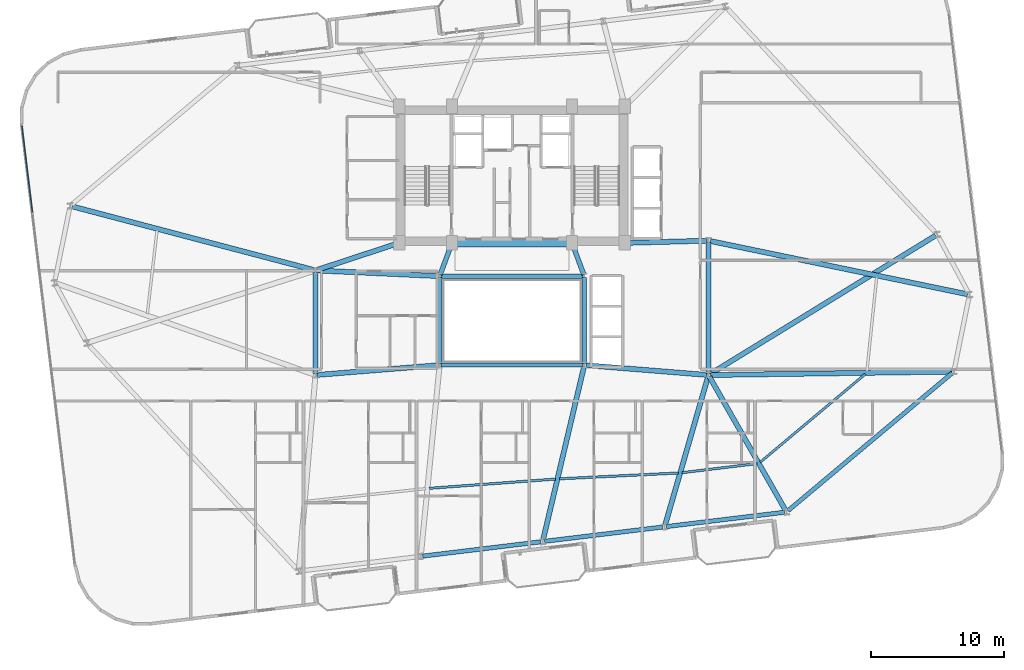
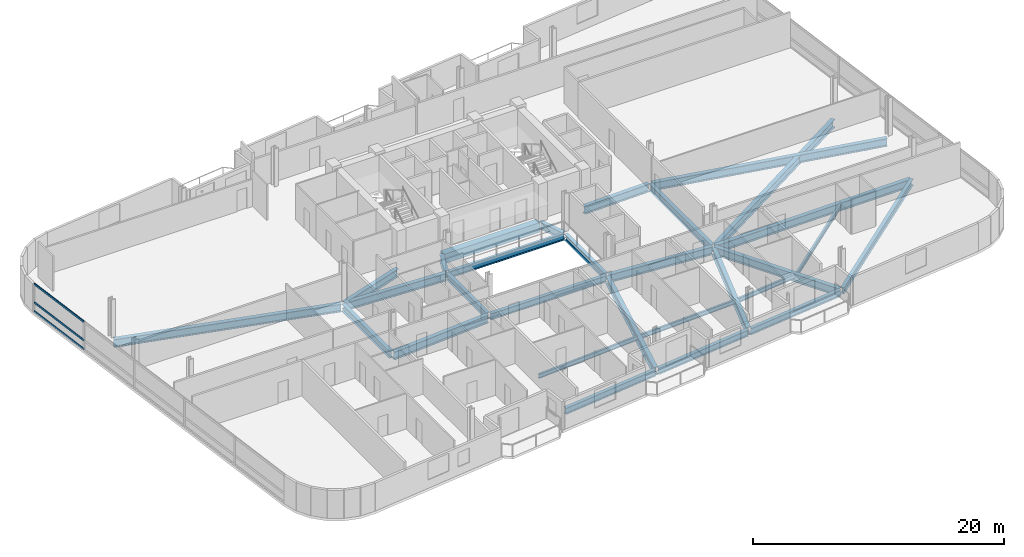
# One storey, part 7 of 23: 29 beams, 3 members, 1 element without a shape of its own.
"""IFC4 building model written with IfcOpenShell, lengths in metres."""

import ifcopenshell
import ifcopenshell.guid

model = None  # the IFC model being written
_history = None  # IfcOwnerHistory: only IFC2X3 demands one
_inside = {}  # id of a spatial element -> (the spatial element, [elements in it])
_under = {}  # id of a project, library or spatial element -> (it, [spatial elements below it])
_declared = {}  # id of a project -> (the project, [libraries it declares])
_typed = {}  # id of a type object -> (the type object, [elements of that type])
_made_of = {}  # id of a material, layer set ... -> (it, [elements and type objects made of it])


def new_model(schema):
    """Start an empty IFC model of exactly this schema.

    Asked for "IFC4X3", IfcOpenShell would pick the latest addendum, in which some entities
    have other attributes; the version numbers below select the first issue.
    IFC2X3 requires an IfcOwnerHistory on every rooted entity: one is made here for all.
    """
    global model, _history
    if schema == "IFC4X3":
        model = ifcopenshell.file(schema_version=(4, 3, 0, 0))
    else:
        model = ifcopenshell.file(schema=schema)
    _inside.clear()
    _under.clear()
    _declared.clear()
    _typed.clear()
    _made_of.clear()
    _history = None
    if model.schema == "IFC2X3":
        org = make("IfcOrganization", Name="unknown")
        user = make(
            "IfcPersonAndOrganization",
            ThePerson=make("IfcPerson", FamilyName="unknown"),
            TheOrganization=org,
        )
        app = make(
            "IfcApplication",
            ApplicationDeveloper=org,
            Version="unknown",
            ApplicationFullName="unknown",
            ApplicationIdentifier="unknown",
        )
        _history = make(
            "IfcOwnerHistory",
            OwningUser=user,
            OwningApplication=app,
            ChangeAction="ADDED",
            CreationDate=0,
        )
    return model


def make(cls, **values):
    """One entity of the class cls with the attributes given. An attribute that is None is left unset."""
    return model.create_entity(
        cls, **{name: value for name, value in values.items() if value is not None}
    )


def rooted(cls, **values):
    """An entity with a GlobalId (a new one), such as an element, a storey or a relation."""
    return make(cls, GlobalId=ifcopenshell.guid.new(), OwnerHistory=_history, **values)


def si_unit(unit_type, name, prefix=None):
    """IfcSIUnit, for example si_unit("LENGTHUNIT", "METRE", prefix="MILLI")."""
    return make("IfcSIUnit", UnitType=unit_type, Prefix=prefix, Name=name)


def assignment(units):
    """IfcUnitAssignment: the units of a project."""
    return None if units is None else make("IfcUnitAssignment", Units=units)


def point(xyz):
    """IfcCartesianPoint."""
    return None if xyz is None else make("IfcCartesianPoint", Coordinates=xyz)


def direction(xyz):
    """IfcDirection."""
    return None if xyz is None else make("IfcDirection", DirectionRatios=xyz)


def frame(location, z_axis=None, x_axis=None):
    """IfcAxis2Placement3D, a coordinate frame: its origin and axes. An axis left out is left unset."""
    return make(
        "IfcAxis2Placement3D",
        Location=point(location),
        Axis=direction(z_axis),
        RefDirection=direction(x_axis),
    )


def frame_2d(location, x_axis=None):
    """IfcAxis2Placement2D, a coordinate frame in the plane: its origin and x axis."""
    return make(
        "IfcAxis2Placement2D", Location=point(location), RefDirection=direction(x_axis)
    )


def origin():
    """The frame at (0, 0, 0) with its axes left unset."""
    return frame((0.0, 0.0, 0.0))


def origin_2d():
    """The frame at (0, 0) in the plane with its x axis left unset."""
    return frame_2d((0.0, 0.0))


def place(relative_to, where):
    """IfcLocalPlacement: puts the frame where relative to a parent placement (None: the world)."""
    return make(
        "IfcLocalPlacement", PlacementRelTo=relative_to, RelativePlacement=where
    )


def context(
    kind, dimensions, precision=None, world=None, true_north=None, identifier=None
):
    """IfcGeometricRepresentationContext, for example the 3D "Model" context."""
    return make(
        "IfcGeometricRepresentationContext",
        ContextIdentifier=identifier,
        ContextType=kind,
        CoordinateSpaceDimension=dimensions,
        Precision=precision,
        WorldCoordinateSystem=world,
        TrueNorth=true_north,
    )


def subcontext(parent, identifier, kind, view, scale=None):
    """IfcGeometricRepresentationSubContext, for example "Body" below "Model"."""
    return make(
        "IfcGeometricRepresentationSubContext",
        ContextIdentifier=identifier,
        ContextType=kind,
        ParentContext=parent,
        TargetScale=scale,
        TargetView=view,
    )


def project(units=None, contexts=None):
    """IfcProject with its units and contexts."""
    return rooted(
        "IfcProject",
        Name="project",
        RepresentationContexts=contexts,
        UnitsInContext=assignment(units),
    )


def spatial(cls, under=None, at=None, **own):
    """A site, building, storey or space (cls), placed at a placement, below another one or the project."""
    s = rooted(cls, ObjectPlacement=at, **own)
    if under is not None:
        _under.setdefault(under.id(), (under, []))[1].append(s)
    return s


def profile(cls, at=None, kind="AREA", **sizes):
    """A parametric profile (cls). Its sizes go by their IFC names, for example OverallWidth=200.0."""
    return make(cls, ProfileType=kind, Position=at, **sizes)


def rectangle(**sizes):
    """IfcRectangleProfileDef."""
    return profile("IfcRectangleProfileDef", **sizes)


def hollow_rectangle(**sizes):
    """IfcRectangleHollowProfileDef."""
    return profile("IfcRectangleHollowProfileDef", **sizes)


def i_section(**sizes):
    """IfcIShapeProfileDef."""
    return profile("IfcIShapeProfileDef", **sizes)


def extrude(swept, where, along, depth):
    """IfcExtrudedAreaSolid: the profile swept, set in the frame where, extruded along a direction by depth."""
    return make(
        "IfcExtrudedAreaSolid",
        SweptArea=swept,
        Position=where,
        ExtrudedDirection=direction(along),
        Depth=depth,
    )


def shape(context_of_items, identifier, shape_type, items):
    """IfcShapeRepresentation: the items that make up one representation, for example the "Body"."""
    return make(
        "IfcShapeRepresentation",
        ContextOfItems=context_of_items,
        RepresentationIdentifier=identifier,
        RepresentationType=shape_type,
        Items=items,
    )


def material(Name=None, Category=None):
    """IfcMaterial."""
    return make("IfcMaterial", Name=Name, Category=Category)


def layer(
    of_material, thickness, ventilated=None, Name=None, Category=None, Priority=None
):
    """IfcMaterialLayer: one layer of a wall or slab, of a material (None: an air gap)."""
    return make(
        "IfcMaterialLayer",
        Material=of_material,
        LayerThickness=thickness,
        IsVentilated=ventilated,
        Name=Name,
        Category=Category,
        Priority=Priority,
    )


def layer_set(layers, Name=None):
    """IfcMaterialLayerSet."""
    return make("IfcMaterialLayerSet", MaterialLayers=layers, LayerSetName=Name)


def material_profile(
    of_material, cross_section, Name=None, Category=None, Priority=None
):
    """IfcMaterialProfile: a cross section and its material."""
    return make(
        "IfcMaterialProfile",
        Name=Name,
        Material=of_material,
        Profile=cross_section,
        Priority=Priority,
        Category=Category,
    )


def profile_set(profiles, Name=None, composite=None):
    """IfcMaterialProfileSet."""
    return make(
        "IfcMaterialProfileSet",
        Name=Name,
        MaterialProfiles=profiles,
        CompositeProfile=composite,
    )


def made_of(thing, what):
    """Note that an element or type object is made of a material, layer set ...; save() writes the relation."""
    if what is not None:
        _made_of.setdefault(what.id(), (what, []))[1].append(thing)
    return thing


def type_object(cls, material=None, **own):
    """A type object (cls), such as IfcWallType, which elements share."""
    return made_of(rooted(cls, **own), material)


def element(
    cls,
    number,
    at=None,
    inside=None,
    cuts=None,
    type_object=None,
    material=None,
    context=None,
    identifier="Body",
    shape_type=None,
    held_by="IfcProductDefinitionShape",
    body=None,
    shapes=None,
    **own,
):
    """One element of the class cls, such as IfcWall. Its Tag is "e" and its number.

    at: its placement. inside: the storey or other place that contains it. cuts: it is an
    opening in that element (IfcRelVoidsElement). A single representation is given by context,
    identifier, shape_type and body (its items); several are given by shapes. held_by: the class
    of the entity that holds the representations. save() writes the other relations.
    """
    e = rooted(cls, Tag="e%d" % number, ObjectPlacement=at, **own)
    if body is not None:
        shapes = [shape(context, identifier, shape_type, body)]
    if shapes is not None:
        e.Representation = make(held_by, Representations=shapes)
    if inside is not None:
        _inside.setdefault(inside.id(), (inside, []))[1].append(e)
    if cuts is not None:
        rooted(
            "IfcRelVoidsElement", RelatingBuildingElement=cuts, RelatedOpeningElement=e
        )
    if type_object is not None:
        _typed.setdefault(type_object.id(), (type_object, []))[1].append(e)
    return made_of(e, material)


def aggregate(whole, parts):
    """IfcRelAggregates: a whole, such as a stair, and the parts it consists of."""
    return rooted("IfcRelAggregates", RelatingObject=whole, RelatedObjects=parts)


def save(model, path):
    """Write the relations noted so far, then the file.

    IfcRelAggregates (storeys below a building ...), IfcRelContainedInSpatialStructure (elements
    in a storey), IfcRelDefinesByType, IfcRelAssociatesMaterial and IfcRelDeclares: one each for
    every whole, place, type object, material and project.
    """
    for whole, parts in _under.values():
        aggregate(whole, parts)
    for where, things in _inside.values():
        rooted(
            "IfcRelContainedInSpatialStructure",
            RelatedElements=things,
            RelatingStructure=where,
        )
    for kind, things in _typed.values():
        rooted("IfcRelDefinesByType", RelatedObjects=things, RelatingType=kind)
    for what, things in _made_of.values():
        rooted("IfcRelAssociatesMaterial", RelatedObjects=things, RelatingMaterial=what)
    for by, libraries in _declared.values():
        rooted("IfcRelDeclares", RelatingContext=by, RelatedDefinitions=libraries)
    model.write(path)


model = new_model("IFC4")

# Units and contexts
model_context = context("Model", 3, precision=1e-05, world=origin(), true_north=direction((0.0, 1.0)))
body_context = subcontext(model_context, "Body", "Model", "MODEL_VIEW")
ifc_project = project(units=[si_unit("LENGTHUNIT", "METRE"), si_unit("AREAUNIT", "SQUARE_METRE"), si_unit("VOLUMEUNIT", "CUBIC_METRE"), si_unit("PLANEANGLEUNIT", "RADIAN"), si_unit("MASSUNIT", "GRAM", prefix="KILO")], contexts=[model_context])

# Site, building, storey
site_placement = place(None, origin())
site = spatial("IfcSite", under=ifc_project, at=site_placement, CompositionType="ELEMENT")
building_placement = place(site_placement, origin())
building = spatial("IfcBuilding", under=site, at=building_placement, Name="Varnelok Gate Tower", CompositionType="ELEMENT")
storey_placement = place(building_placement, frame((0.0, 0.0, 193.10009765625)))
storey = spatial("IfcBuildingStorey", under=building, at=storey_placement, Name="L49", CompositionType="ELEMENT", Elevation=193.10009765625)

# Beams
ifc_material_1 = material(Name="Structural Steel ASTM A992 Grade 50", Category="steel")
ifc_material_profile_1 = material_profile(ifc_material_1, i_section(OverallWidth=0.180908203125, OverallDepth=0.4169921875, WebThickness=0.010986328125, FlangeThickness=0.018310546875, FilletRadius=0.013916015625, at=origin_2d()), Name="W16X57")
ifc_profile_set_1 = profile_set([ifc_material_profile_1], Name="Structural Steel ASTM A992 Grade 50")
beam_type_1 = type_object("IfcBeamType", Name="BM-JST-W16X57", PredefinedType="JOIST", material=ifc_profile_set_1)
beam_1_placement = place(storey_placement, frame((32.970703125, 10.269775390625, -0.45849609375), z_axis=(0.997322853736, 0.073124041296, 0.0), x_axis=(-0.073124041296, 0.997322853736, 0.0)))
element("IfcBeam", 1, at=beam_1_placement, inside=storey, type_object=beam_type_1, Name="L49 Sector Floor Joist 2", PredefinedType="JOIST", context=body_context, shape_type="SweptSolid", body=[
    extrude(i_section(OverallWidth=0.180908203125, OverallDepth=0.4169921875, WebThickness=0.010986328125, FlangeThickness=0.018310546875, FilletRadius=0.013916015625, at=origin_2d()), origin(), (0.0, 0.0, 1.0), 9.538818359375),
])
beam_2_placement = place(storey_placement, frame((42.763427734375, 10.984375, -0.45849609375), z_axis=(0.998806692887, 0.048838409527, 0.0), x_axis=(-0.048838409527, 0.998806692887, 0.0)))
element("IfcBeam", 2, at=beam_2_placement, inside=storey, type_object=beam_type_1, Name="L49 Sector Floor Joist 3", PredefinedType="JOIST", context=body_context, shape_type="SweptSolid", body=[
    extrude(i_section(OverallWidth=0.180908203125, OverallDepth=0.4169921875, WebThickness=0.010986328125, FlangeThickness=0.018310546875, FilletRadius=0.013916015625, at=origin_2d()), origin(), (0.0, 0.0, 1.0), 8.97314453125),
])
beam_3_placement = place(storey_placement, frame((52.004638671875, 11.4462890625, -0.45849609375), z_axis=(0.992732072323, 0.12034547179, 0.0), x_axis=(-0.12034547179, 0.992732072323, 0.0)))
element("IfcBeam", 3, at=beam_3_placement, inside=storey, type_object=beam_type_1, Name="L49 Sector Floor Joist 4", PredefinedType="JOIST", context=body_context, shape_type="SweptSolid", body=[
    extrude(i_section(OverallWidth=0.180908203125, OverallDepth=0.4169921875, WebThickness=0.010986328125, FlangeThickness=0.018310546875, FilletRadius=0.013916015625, at=origin_2d()), origin(), (0.0, 0.0, 1.0), 5.686279296875),
])
beam_4_placement = place(storey_placement, frame((57.89599609375, 12.2373046875, -0.45849609375), z_axis=(0.766092067024, 0.642730849457, 0.0), x_axis=(-0.642730849457, 0.766092067024, 0.0)))
element("IfcBeam", 4, at=beam_4_placement, inside=storey, type_object=beam_type_1, Name="L49 Sector Floor Joist 5", PredefinedType="JOIST", context=body_context, shape_type="SweptSolid", body=[
    extrude(i_section(OverallWidth=0.180908203125, OverallDepth=0.4169921875, WebThickness=0.010986328125, FlangeThickness=0.018310546875, FilletRadius=0.013916015625, at=origin_2d()), origin(), (0.0, 0.0, 1.0), 10.330810546875),
])
ifc_material_2 = material(Name="Concrete C60/75", Category="concrete")
ifc_material_profile_2 = material_profile(ifc_material_2, rectangle(XDim=0.60009765625, YDim=0.949951171875, at=origin_2d()), Name="RC950X600")
ifc_profile_set_2 = profile_set([ifc_material_profile_2], Name="Concrete C60/75")
beam_type_2 = type_object("IfcBeamType", Name="BM-LNT-RC950", PredefinedType="LINTEL", material=ifc_profile_set_2)
beam_5_placement = place(storey_placement, frame((34.800048828125, 28.75, -0.72509765625), z_axis=(1.0, 0.0, 0.0), x_axis=(0.0, 1.0, 0.0)))
element("IfcBeam", 5, at=beam_5_placement, inside=storey, type_object=beam_type_2, Name="L49 Core-Atrium Spine Beam 7", PredefinedType="LINTEL", context=body_context, shape_type="SweptSolid", body=[
    extrude(rectangle(XDim=0.60009765625, YDim=0.949951171875, at=origin_2d()), origin(), (0.0, 0.0, 1.0), 8.800048828125),
])
ifc_material_profile_3 = material_profile(ifc_material_1, i_section(OverallWidth=0.35498046875, OverallDepth=0.696044921875, WebThickness=0.015380859375, FlangeThickness=0.02490234375, FilletRadius=0.02001953125, at=origin_2d()), Name="W27X146")
ifc_profile_set_3 = profile_set([ifc_material_profile_3], Name="Structural Steel ASTM A992 Grade 50")
beam_type_3 = type_object("IfcBeamType", Name="BM-PRI-W27X146", PredefinedType="BEAM", material=ifc_profile_set_3)
for number, where, z_axis, x_axis, name in (
    (6, (33.791748046875, 26.362548828125, -0.59814453125), (0.348719329408, 0.937227202602, 0.0), (-0.937227202602, 0.348719329408, 0.0), "L49 Core-Atrium Spine Beam 12"),
    (7, (44.608154296875, 26.362548828125, -0.59814453125), (-0.348719329408, 0.937227202602, 0.0), (-0.937227202602, -0.348719329408, 0.0), "L49 Core-Atrium Spine Beam 13"),
):
    element("IfcBeam", number, at=place(storey_placement, frame(where, z_axis=z_axis, x_axis=x_axis)), inside=storey, type_object=beam_type_3, Name=name, PredefinedType="BEAM", context=body_context, shape_type="SweptSolid", body=[
        extrude(i_section(OverallWidth=0.35498046875, OverallDepth=0.696044921875, WebThickness=0.015380859375, FlangeThickness=0.02490234375, FilletRadius=0.02001953125, at=origin_2d()), origin(), (0.0, 0.0, 1.0), 2.42724609375),
    ])
beam_6_placement = place(storey_placement, frame((24.39990234375, 18.919921875, -0.59814453125), z_axis=(0.0, 1.0, 0.0), x_axis=(-1.0, 0.0, 0.0)))
element("IfcBeam", 8, at=beam_6_placement, inside=storey, type_object=beam_type_3, Name="L49 Core-Atrium Spine Beam 16", PredefinedType="BEAM", context=body_context, shape_type="SweptSolid", body=[
    extrude(i_section(OverallWidth=0.35498046875, OverallDepth=0.696044921875, WebThickness=0.015380859375, FlangeThickness=0.02490234375, FilletRadius=0.02001953125, at=origin_2d()), origin(), (0.0, 0.0, 1.0), 7.64013671875),
])
beam_7_placement = place(storey_placement, frame((54.0, 18.919921875, -0.59814453125), z_axis=(0.0, 1.0, 0.0), x_axis=(-1.0, 0.0, 0.0)))
element("IfcBeam", 9, at=beam_7_placement, inside=storey, type_object=beam_type_3, Name="L49 Core-Atrium Spine Beam 20", PredefinedType="BEAM", context=body_context, shape_type="SweptSolid", body=[
    extrude(i_section(OverallWidth=0.35498046875, OverallDepth=0.696044921875, WebThickness=0.015380859375, FlangeThickness=0.02490234375, FilletRadius=0.02001953125, at=origin_2d()), origin(), (0.0, 0.0, 1.0), 9.880126953125),
])
ifc_material_profile_4 = material_profile(ifc_material_1, i_section(OverallWidth=0.381103515625, OverallDepth=0.77294921875, WebThickness=0.0166015625, FlangeThickness=0.027099609375, FilletRadius=0.02197265625, at=origin_2d()), Name="W30X173")
ifc_profile_set_4 = profile_set([ifc_material_profile_4], Name="Structural Steel ASTM A992 Grade 50")
beam_type_4 = type_object("IfcBeamType", Name="BM-PRI-W30X173", PredefinedType="BEAM", material=ifc_profile_set_4)
beam_8_placement = place(storey_placement, frame((24.51953125, 18.8095703125, -0.63671875), z_axis=(0.996799206292, 0.07994587128, 0.0), x_axis=(-0.07994587128, 0.996799206292, 0.0)))
element("IfcBeam", 10, at=beam_8_placement, inside=storey, type_object=beam_type_4, Name="L49 Core-Atrium Spine Beam 14", PredefinedType="BEAM", context=body_context, shape_type="SweptSolid", body=[
    extrude(i_section(OverallWidth=0.381103515625, OverallDepth=0.77294921875, WebThickness=0.0166015625, FlangeThickness=0.027099609375, FilletRadius=0.02197265625, at=origin_2d()), origin(), (0.0, 0.0, 1.0), 9.14013671875),
])
beam_9_placement = place(storey_placement, frame((24.52001953125, 26.674560546875, -0.63671875), z_axis=(0.99894427814, -0.045938319209, 0.0), x_axis=(0.045938319209, 0.99894427814, 0.0)))
element("IfcBeam", 11, at=beam_9_placement, inside=storey, type_object=beam_type_4, Name="L49 Core-Atrium Spine Beam 15", PredefinedType="BEAM", context=body_context, shape_type="SweptSolid", body=[
    extrude(i_section(OverallWidth=0.381103515625, OverallDepth=0.77294921875, WebThickness=0.0166015625, FlangeThickness=0.027099609375, FilletRadius=0.02197265625, at=origin_2d()), origin(), (0.0, 0.0, 1.0), 9.11962890625),
])
beam_10_placement = place(storey_placement, frame((24.513916015625, 26.717529296875, -0.63671875), z_axis=(0.950041943788, 0.312122259768, 0.0), x_axis=(-0.312122259768, 0.950041943788, 0.0)))
element("IfcBeam", 12, at=beam_10_placement, inside=storey, type_object=beam_type_4, Name="L49 Core-Atrium Spine Beam 17", PredefinedType="BEAM", context=body_context, shape_type="SweptSolid", body=[
    extrude(i_section(OverallWidth=0.381103515625, OverallDepth=0.77294921875, WebThickness=0.0166015625, FlangeThickness=0.027099609375, FilletRadius=0.02197265625, at=origin_2d()), origin(), (0.0, 0.0, 1.0), 6.391357421875),
])
beam_11_placement = place(storey_placement, frame((44.76953125, 19.540283203125, -0.63671875), z_axis=(0.996799206292, -0.07994587128, 0.0), x_axis=(0.07994587128, 0.996799206292, 0.0)))
element("IfcBeam", 13, at=beam_11_placement, inside=storey, type_object=beam_type_4, Name="L49 Core-Atrium Spine Beam 18", PredefinedType="BEAM", context=body_context, shape_type="SweptSolid", body=[
    extrude(i_section(OverallWidth=0.381103515625, OverallDepth=0.77294921875, WebThickness=0.0166015625, FlangeThickness=0.027099609375, FilletRadius=0.02197265625, at=origin_2d()), origin(), (0.0, 0.0, 1.0), 9.14013671875),
])
beam_12_placement = place(storey_placement, frame((47.820068359375, 28.753173828125, -0.63671875), z_axis=(0.999635880609, 0.026983443053, 0.0), x_axis=(-0.026983443053, 0.999635880609, 0.0)))
element("IfcBeam", 14, at=beam_12_placement, inside=storey, type_object=beam_type_4, Name="L49 Core-Atrium Spine Beam 19", PredefinedType="BEAM", context=body_context, shape_type="SweptSolid", body=[
    extrude(i_section(OverallWidth=0.381103515625, OverallDepth=0.77294921875, WebThickness=0.0166015625, FlangeThickness=0.027099609375, FilletRadius=0.02197265625, at=origin_2d()), origin(), (0.0, 0.0, 1.0), 6.06201171875),
])
beam_13_placement = place(storey_placement, frame((44.615478515625, 19.404052734375, -0.63671875), z_axis=(-0.230051892852, -0.973178363197, 0.0), x_axis=(0.973178363197, -0.230051892852, 0.0)))
element("IfcBeam", 15, at=beam_13_placement, inside=storey, type_object=beam_type_4, Name="L49 Radial Floor Girder 3", PredefinedType="BEAM", context=body_context, shape_type="SweptSolid", body=[
    extrude(i_section(OverallWidth=0.381103515625, OverallDepth=0.77294921875, WebThickness=0.0166015625, FlangeThickness=0.027099609375, FilletRadius=0.02197265625, at=origin_2d()), origin(), (0.0, 0.0, 1.0), 13.356689453125),
])
beam_14_placement = place(storey_placement, frame((53.958251953125, 18.656005859375, -0.63671875), z_axis=(-0.278139351158, -0.960540733825, 0.0), x_axis=(0.960540733825, -0.278139351158, 0.0)))
element("IfcBeam", 16, at=beam_14_placement, inside=storey, type_object=beam_type_4, Name="L49 Radial Floor Girder 4", PredefinedType="BEAM", context=body_context, shape_type="SweptSolid", body=[
    extrude(i_section(OverallWidth=0.381103515625, OverallDepth=0.77294921875, WebThickness=0.0166015625, FlangeThickness=0.027099609375, FilletRadius=0.02197265625, at=origin_2d()), origin(), (0.0, 0.0, 1.0), 11.596923828125),
])
beam_15_placement = place(storey_placement, frame((54.07421875, 18.669677734375, -0.63671875), z_axis=(0.494868053933, -0.868968128988, 0.0), x_axis=(0.868968128988, 0.494868053933, 0.0)))
element("IfcBeam", 17, at=beam_15_placement, inside=storey, type_object=beam_type_4, Name="L49 Radial Floor Girder 5", PredefinedType="BEAM", context=body_context, shape_type="SweptSolid", body=[
    extrude(i_section(OverallWidth=0.381103515625, OverallDepth=0.77294921875, WebThickness=0.0166015625, FlangeThickness=0.027099609375, FilletRadius=0.02197265625, at=origin_2d()), origin(), (0.0, 0.0, 1.0), 11.5693359375),
])
beam_16_placement = place(storey_placement, frame((54.14990234375, 18.802001953125, -0.63671875), z_axis=(0.999901514109, 0.014034318056, 0.0), x_axis=(-0.014034318056, 0.999901514109, 0.0)))
element("IfcBeam", 18, at=beam_16_placement, inside=storey, type_object=beam_type_4, Name="L49 Radial Floor Girder 6", PredefinedType="BEAM", context=body_context, shape_type="SweptSolid", body=[
    extrude(i_section(OverallWidth=0.381103515625, OverallDepth=0.77294921875, WebThickness=0.0166015625, FlangeThickness=0.027099609375, FilletRadius=0.02197265625, at=origin_2d()), origin(), (0.0, 0.0, 1.0), 18.1787109375),
])
beam_17_placement = place(storey_placement, frame((54.14697265625, 28.8896484375, -0.63671875), z_axis=(0.979255265667, -0.202630512665, 0.0), x_axis=(0.202630512665, 0.979255265667, 0.0)))
element("IfcBeam", 19, at=beam_17_placement, inside=storey, type_object=beam_type_4, Name="L49 Radial Floor Girder 7", PredefinedType="BEAM", context=body_context, shape_type="SweptSolid", body=[
    extrude(i_section(OverallWidth=0.381103515625, OverallDepth=0.77294921875, WebThickness=0.0166015625, FlangeThickness=0.027099609375, FilletRadius=0.02197265625, at=origin_2d()), origin(), (0.0, 0.0, 1.0), 19.7705078125),
])
beam_18_placement = place(storey_placement, frame((54.127685546875, 18.87841796875, -0.63671875), z_axis=(0.852014595228, 0.523518031703, 0.0), x_axis=(-0.523518031703, 0.852014595228, 0.0)))
element("IfcBeam", 20, at=beam_18_placement, inside=storey, type_object=beam_type_4, Name="L49 Radial Floor Girder 8", PredefinedType="BEAM", context=body_context, shape_type="SweptSolid", body=[
    extrude(i_section(OverallWidth=0.381103515625, OverallDepth=0.77294921875, WebThickness=0.0166015625, FlangeThickness=0.027099609375, FilletRadius=0.02197265625, at=origin_2d()), origin(), (0.0, 0.0, 1.0), 19.917236328125),
])
beam_19_placement = place(storey_placement, frame((24.2548828125, 26.71826171875, -0.63671875), z_axis=(-0.967098244451, 0.254403194908, 0.0), x_axis=(-0.254403194908, -0.967098244451, 0.0)))
element("IfcBeam", 21, at=beam_19_placement, inside=storey, type_object=beam_type_4, Name="L49 Radial Floor Girder 14", PredefinedType="BEAM", context=body_context, shape_type="SweptSolid", body=[
    extrude(i_section(OverallWidth=0.381103515625, OverallDepth=0.77294921875, WebThickness=0.0166015625, FlangeThickness=0.027099609375, FilletRadius=0.02197265625, at=origin_2d()), origin(), (0.0, 0.0, 1.0), 18.805419921875),
])
ifc_material_profile_5 = material_profile(ifc_material_1, i_section(OverallWidth=0.323974609375, OverallDepth=0.611083984375, WebThickness=0.0126953125, FlangeThickness=0.01904296875, FilletRadius=0.01806640625, at=origin_2d()), Name="W24X104")
ifc_profile_set_5 = profile_set([ifc_material_profile_5], Name="Structural Steel ASTM A992 Grade 50")
beam_type_5 = type_object("IfcBeamType", Name="BM-SPN-W24X104", PredefinedType="SPANDREL", material=ifc_profile_set_5)
for number, where, z_axis, x_axis, name in (
    (22, (33.8701171875, 19.550048828125, -0.5556640625), (1.0, 0.0, 0.0), (0.0, 1.0, 0.0), "L49 Core-Atrium Spine Beam 8"),
    (23, (33.8701171875, 26.25, -0.5556640625), (1.0, 0.0, 0.0), (0.0, 1.0, 0.0), "L49 Core-Atrium Spine Beam 9"),
):
    element("IfcBeam", number, at=place(storey_placement, frame(where, z_axis=z_axis, x_axis=x_axis)), inside=storey, type_object=beam_type_5, Name=name, PredefinedType="SPANDREL", context=body_context, shape_type="SweptSolid", body=[
        extrude(i_section(OverallWidth=0.323974609375, OverallDepth=0.611083984375, WebThickness=0.0126953125, FlangeThickness=0.01904296875, FilletRadius=0.01806640625, at=origin_2d()), origin(), (0.0, 0.0, 1.0), 10.659912109375),
    ])
for number, where, z_axis, x_axis, name in (
    (24, (33.75, 19.669921875, -0.5556640625), (0.0, 1.0, 0.0), (-1.0, 0.0, 0.0), "L49 Core-Atrium Spine Beam 10"),
    (25, (44.64990234375, 19.669921875, -0.5556640625), (0.0, 1.0, 0.0), (-1.0, 0.0, 0.0), "L49 Core-Atrium Spine Beam 11"),
):
    element("IfcBeam", number, at=place(storey_placement, frame(where, z_axis=z_axis, x_axis=x_axis)), inside=storey, type_object=beam_type_5, Name=name, PredefinedType="SPANDREL", context=body_context, shape_type="SweptSolid", body=[
        extrude(i_section(OverallWidth=0.323974609375, OverallDepth=0.611083984375, WebThickness=0.0126953125, FlangeThickness=0.01904296875, FilletRadius=0.01806640625, at=origin_2d()), origin(), (0.0, 0.0, 1.0), 6.4599609375),
    ])
for number, where, z_axis, x_axis, name in (
    (26, (32.474365234375, 5.164306640625, -0.5556640625), (0.992734670707, 0.120324035735, 0.0), (-0.120324035735, 0.992734670707, 0.0), "L49 Perimeter Spandrel Beam 2"),
    (27, (41.656982421875, 6.277587890625, -0.5556640625), (0.992734670707, 0.120324035735, 0.0), (-0.120324035735, 0.992734670707, 0.0), "L49 Perimeter Spandrel Beam 3"),
    (28, (50.83984375, 7.390625, -0.5556640625), (0.99273141198, 0.120350918849, 0.0), (-0.120350918849, 0.99273141198, 0.0), "L49 Perimeter Spandrel Beam 4"),
):
    element("IfcBeam", number, at=place(storey_placement, frame(where, z_axis=z_axis, x_axis=x_axis)), inside=storey, type_object=beam_type_5, Name=name, PredefinedType="SPANDREL", context=body_context, shape_type="SweptSolid", body=[
        extrude(i_section(OverallWidth=0.323974609375, OverallDepth=0.611083984375, WebThickness=0.0126953125, FlangeThickness=0.01904296875, FilletRadius=0.01806640625, at=origin_2d()), origin(), (0.0, 0.0, 1.0), 8.949951171875),
    ])
beam_20_placement = place(storey_placement, frame((59.98876953125, 8.582275390625, -0.5556640625), z_axis=(0.766099582792, 0.642721891059, 0.0), x_axis=(-0.642721891059, 0.766099582792, 0.0)))
element("IfcBeam", 29, at=beam_20_placement, inside=storey, type_object=beam_type_5, Name="L49 Perimeter Spandrel Beam 5", PredefinedType="SPANDREL", context=body_context, shape_type="SweptSolid", body=[
    extrude(i_section(OverallWidth=0.323974609375, OverallDepth=0.611083984375, WebThickness=0.0126953125, FlangeThickness=0.01904296875, FilletRadius=0.01806640625, at=origin_2d()), origin(), (0.0, 0.0, 1.0), 16.151123046875),
])

# Curtain wall, members
ifc_material_3 = material(Name="Anodized Aluminum Alloy 6063-T6", Category="aluminium")
ifc_layer = layer(ifc_material_3, 0.179931640625)
ifc_layer_set = layer_set([ifc_layer], Name="Anodized Aluminum Alloy 6063-T6")
curtain_wall_type = type_object("IfcCurtainWallType", Name="CW4-RESIDENCE-VISION", PredefinedType="USERDEFINED", material=ifc_layer_set)
curtain_wall_placement = place(storey_placement, origin())
curtain_wall = element("IfcCurtainWall", 30, at=curtain_wall_placement, inside=storey, type_object=curtain_wall_type, Name="L49 West End Vision Curtain Wall", ObjectType="UNITISED CURTAIN WALL", PredefinedType="USERDEFINED")
ifc_material_profile_6 = material_profile(ifc_material_3, hollow_rectangle(XDim=0.074951171875, YDim=0.199951171875, WallThickness=0.00390625, at=origin_2d()), Name="ALU200X75X4")
ifc_profile_set_6 = profile_set([ifc_material_profile_6], Name="Anodized Aluminum Alloy 6063-T6")
member_type = type_object("IfcMemberType", Name="CW-TRAN-200", PredefinedType="USERDEFINED", material=ifc_profile_set_6)
member_1_placement = place(storey_placement, frame((3.085205078125, 31.052978515625, 0.037353515625), z_axis=(-0.120332477695, 0.992733647466, 0.0), x_axis=(-0.992733647466, -0.120332477695, 0.0)))
member_1 = element("IfcMember", 31, at=member_1_placement, type_object=member_type, Name="CW4 transom 5.1", ObjectType="TRANSOM", PredefinedType="USERDEFINED", context=body_context, shape_type="SweptSolid", body=[
    extrude(hollow_rectangle(XDim=0.074951171875, YDim=0.199951171875, WallThickness=0.00390625, at=origin_2d()), origin(), (0.0, 0.0, 1.0), 6.5673828125),
])
member_2_placement = place(storey_placement, frame((3.085205078125, 31.052978515625, 0.89990234375), z_axis=(-0.120332477695, 0.992733647466, 0.0), x_axis=(-0.992733647466, -0.120332477695, 0.0)))
member_2 = element("IfcMember", 32, at=member_2_placement, type_object=member_type, Name="CW4 transom 5.2", ObjectType="TRANSOM", PredefinedType="USERDEFINED", context=body_context, shape_type="SweptSolid", body=[
    extrude(hollow_rectangle(XDim=0.074951171875, YDim=0.199951171875, WallThickness=0.00390625, at=origin_2d()), origin(), (0.0, 0.0, 1.0), 6.5673828125),
])
member_3_placement = place(storey_placement, frame((3.085205078125, 31.052978515625, 2.6923828125), z_axis=(-0.120332477695, 0.992733647466, 0.0), x_axis=(-0.992733647466, -0.120332477695, 0.0)))
member_3 = element("IfcMember", 33, at=member_3_placement, type_object=member_type, Name="CW4 transom 5.3", ObjectType="TRANSOM", PredefinedType="USERDEFINED", context=body_context, shape_type="SweptSolid", body=[
    extrude(hollow_rectangle(XDim=0.074951171875, YDim=0.199951171875, WallThickness=0.00390625, at=origin_2d()), origin(), (0.0, 0.0, 1.0), 6.5673828125),
])
aggregate(curtain_wall, [member_1, member_2, member_3])

save(model, "model.ifc")
